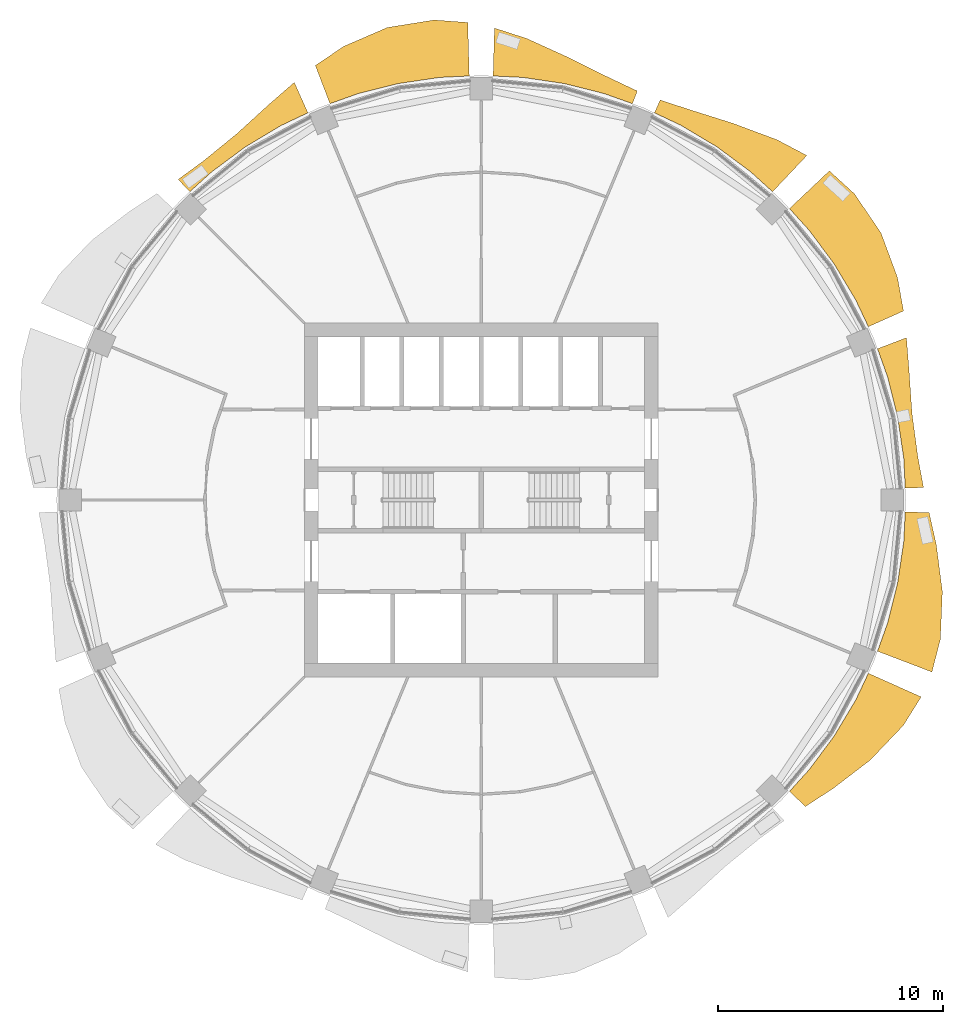
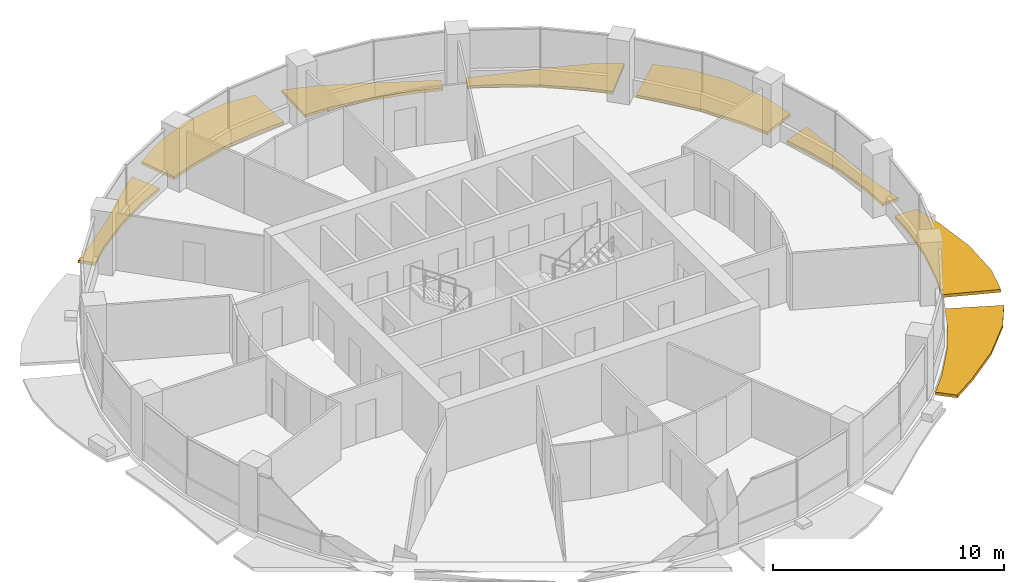
# One storey, part 13 of 14: 8 shading devices.
"""IFC4 building model written with IfcOpenShell, lengths in metres."""

from ifc_helpers import new_model, si_unit, direction, frame, origin, place, context, subcontext, project, spatial, polyline, outline, extrude, material, type_object, element, save


model = new_model("IFC4")

# Units and contexts
model_context = context("Model", 3, precision=1e-05, world=origin(), true_north=direction((0.0, 1.0)))
body_context = subcontext(model_context, "Body", "Model", "MODEL_VIEW")
ifc_project = project(units=[si_unit("LENGTHUNIT", "METRE"), si_unit("AREAUNIT", "SQUARE_METRE"), si_unit("VOLUMEUNIT", "CUBIC_METRE"), si_unit("PLANEANGLEUNIT", "RADIAN"), si_unit("MASSUNIT", "GRAM", prefix="KILO")], contexts=[model_context])

# Site, building, storey
site_placement = place(None, origin())
site = spatial("IfcSite", under=ifc_project, at=site_placement, CompositionType="ELEMENT")
building_placement = place(site_placement, origin())
building = spatial("IfcBuilding", under=site, at=building_placement, Name="Polderwave Tower", CompositionType="ELEMENT")
storey_placement = place(building_placement, frame((0.0, 0.0, 147.75)))
storey = spatial("IfcBuildingStorey", under=building, at=storey_placement, Name="L39", CompositionType="ELEMENT", Elevation=147.75)

# Shading devices
ifc_material = material(Name="Terracotta", Category="masonry")
shading_device_type = type_object("IfcShadingDeviceType", Name="Terracotta sunshade band", PredefinedType="USERDEFINED", material=ifc_material)
shading_device_1_placement = place(storey_placement, frame((0.0, 0.0, -0.35009765625)))
element("IfcShadingDevice", 1, at=shading_device_1_placement, inside=storey, type_object=shading_device_type, Name="Sunshade band L39 1", ObjectType="SUNSHADE", PredefinedType="USERDEFINED", context=body_context, shape_type="SweptSolid", body=[
    extrude(outline(polyline([(18.8740234375, 0.5302734375), (18.80908203125, 1.8525390625), (18.536865234375, 3.687255859375), (18.086181640625, 5.486328125), (17.64013671875, 6.73291015625), (18.9296875, 7.22509765625), (19.044189453125, 5.777099609375), (19.181396484375, 3.8154296875), (19.43701171875, 1.914306640625), (19.689697265625, 0.552978515625), (18.8740234375, 0.5302734375)])), origin(), (0.0, 0.0, 1.0), 0.150146484375),
])
shading_device_2_placement = place(storey_placement, frame((0.0, 0.0, -0.35009765625)))
element("IfcShadingDevice", 2, at=shading_device_2_placement, inside=storey, type_object=shading_device_type, Name="Sunshade band L39 2", ObjectType="SUNSHADE", PredefinedType="USERDEFINED", context=body_context, shape_type="SweptSolid", body=[
    extrude(outline(polyline([(17.234375, 7.712646484375), (16.668212890625, 8.909423828125), (15.71484375, 10.500244140625), (14.60986328125, 11.989990234375), (13.720703125, 12.970947265625), (15.49755859375, 14.65087890625), (16.61181640625, 13.6328125), (17.79541015625, 11.890380859375), (18.52978515625, 9.904296875), (18.800048828125, 8.4130859375), (17.234375, 7.712646484375)])), origin(), (0.0, 0.0, 1.0), 0.150146484375),
])
shading_device_3_placement = place(storey_placement, frame((0.0, 0.0, -0.35009765625)))
element("IfcShadingDevice", 3, at=shading_device_3_placement, inside=storey, type_object=shading_device_type, Name="Sunshade band L39 3", ObjectType="SUNSHADE", PredefinedType="USERDEFINED", context=body_context, shape_type="SweptSolid", body=[
    extrude(outline(polyline([(12.970947265625, 13.720703125), (11.989990234375, 14.60986328125), (10.500244140625, 15.71484375), (8.909423828125, 16.668212890625), (7.712646484375, 17.234375), (7.967529296875, 17.80419921875), (9.2861328125, 17.373046875), (11.2041015625, 16.76806640625), (13.16162109375, 16.037353515625), (14.49658203125, 15.334716796875), (12.970947265625, 13.720703125)])), origin(), (0.0, 0.0, 1.0), 0.150146484375),
])
shading_device_4_placement = place(storey_placement, frame((0.0, 0.0, -0.35009765625)))
element("IfcShadingDevice", 4, at=shading_device_4_placement, inside=storey, type_object=shading_device_type, Name="Sunshade band L39 4", ObjectType="SUNSHADE", PredefinedType="USERDEFINED", context=body_context, shape_type="SweptSolid", body=[
    extrude(outline(polyline([(6.73291015625, 17.64013671875), (5.486328125, 18.086181640625), (3.687255859375, 18.536865234375), (1.8525390625, 18.80908203125), (0.5302734375, 18.8740234375), (0.590087890625, 21.0078125), (2.0234375, 20.54345703125), (3.915283203125, 19.683349609375), (5.701416015625, 18.794677734375), (6.94921875, 18.206787109375), (6.73291015625, 17.64013671875)])), origin(), (0.0, 0.0, 1.0), 0.150146484375),
])
shading_device_5_placement = place(storey_placement, frame((0.0, 0.0, -0.35009765625)))
element("IfcShadingDevice", 5, at=shading_device_5_placement, inside=storey, type_object=shading_device_type, Name="Sunshade band L39 5", ObjectType="SUNSHADE", PredefinedType="USERDEFINED", context=body_context, shape_type="SweptSolid", body=[
    extrude(outline(polyline([(-0.5302734375, 18.8740234375), (-1.8525390625, 18.80908203125), (-3.687255859375, 18.536865234375), (-5.486328125, 18.086181640625), (-6.73291015625, 17.64013671875), (-7.3818359375, 19.340087890625), (-6.124755859375, 20.190185546875), (-4.183349609375, 21.03076171875), (-2.104248046875, 21.36572265625), (-0.59716796875, 21.2568359375), (-0.5302734375, 18.8740234375)])), origin(), (0.0, 0.0, 1.0), 0.150146484375),
])
shading_device_6_placement = place(storey_placement, frame((0.0, 0.0, -0.35009765625)))
element("IfcShadingDevice", 6, at=shading_device_6_placement, inside=storey, type_object=shading_device_type, Name="Sunshade band L39 6", ObjectType="SUNSHADE", PredefinedType="USERDEFINED", context=body_context, shape_type="SweptSolid", body=[
    extrude(outline(polyline([(-7.712646484375, 17.234375), (-8.909423828125, 16.668212890625), (-10.500244140625, 15.71484375), (-11.989990234375, 14.60986328125), (-12.970947265625, 13.720703125), (-13.489501953125, 14.269287109375), (-12.377197265625, 15.08154296875), (-10.887939453125, 16.294921875), (-9.4228515625, 17.62890625), (-8.319091796875, 18.589599609375), (-7.712646484375, 17.234375)])), origin(), (0.0, 0.0, 1.0), 0.150146484375),
])
shading_device_7_placement = place(storey_placement, frame((0.0, 0.0, -0.35009765625)))
element("IfcShadingDevice", 7, at=shading_device_7_placement, inside=storey, type_object=shading_device_type, Name="Sunshade band L39 15", ObjectType="SUNSHADE", PredefinedType="USERDEFINED", context=body_context, shape_type="SweptSolid", body=[
    extrude(outline(polyline([(13.720703125, -12.970947265625), (14.60986328125, -11.989990234375), (15.71484375, -10.500244140625), (16.668212890625, -8.909423828125), (17.234375, -7.712646484375), (19.585205078125, -8.7646484375), (18.78564453125, -10.041259765625), (17.322265625, -11.57421875), (15.656005859375, -12.8486328125), (14.432373046875, -13.643798828125), (13.720703125, -12.970947265625)])), origin(), (0.0, 0.0, 1.0), 0.150146484375),
])
shading_device_8_placement = place(storey_placement, frame((0.0, 0.0, -0.35009765625)))
element("IfcShadingDevice", 8, at=shading_device_8_placement, inside=storey, type_object=shading_device_type, Name="Sunshade band L39 16", ObjectType="SUNSHADE", PredefinedType="USERDEFINED", context=body_context, shape_type="SweptSolid", body=[
    extrude(outline(polyline([(17.64013671875, -6.73291015625), (18.086181640625, -5.486328125), (18.536865234375, -3.687255859375), (18.80908203125, -1.8525390625), (18.8740234375, -0.5302734375), (19.93896484375, -0.56005859375), (20.259033203125, -1.995361328125), (20.52880859375, -4.08349609375), (20.43994140625, -6.200439453125), (20.06298828125, -7.65771484375), (17.64013671875, -6.73291015625)])), origin(), (0.0, 0.0, 1.0), 0.150146484375),
])

save(model, "model.ifc")
